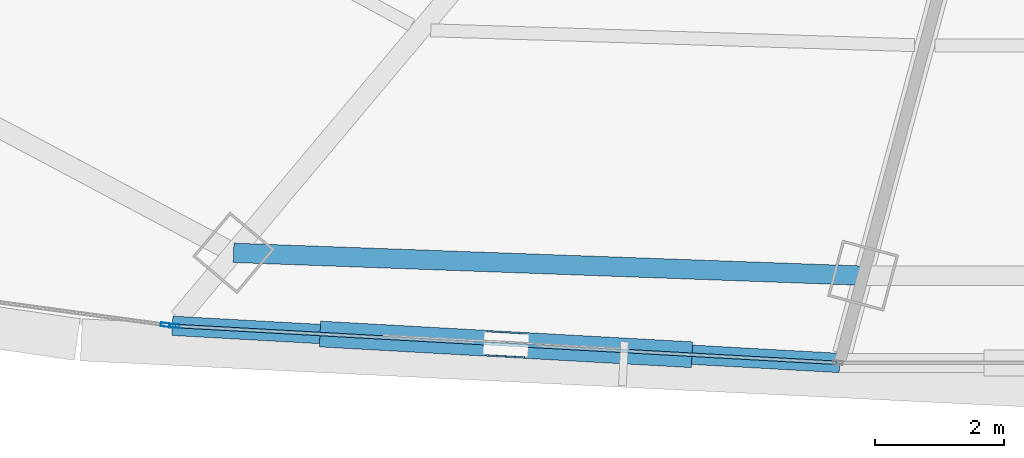
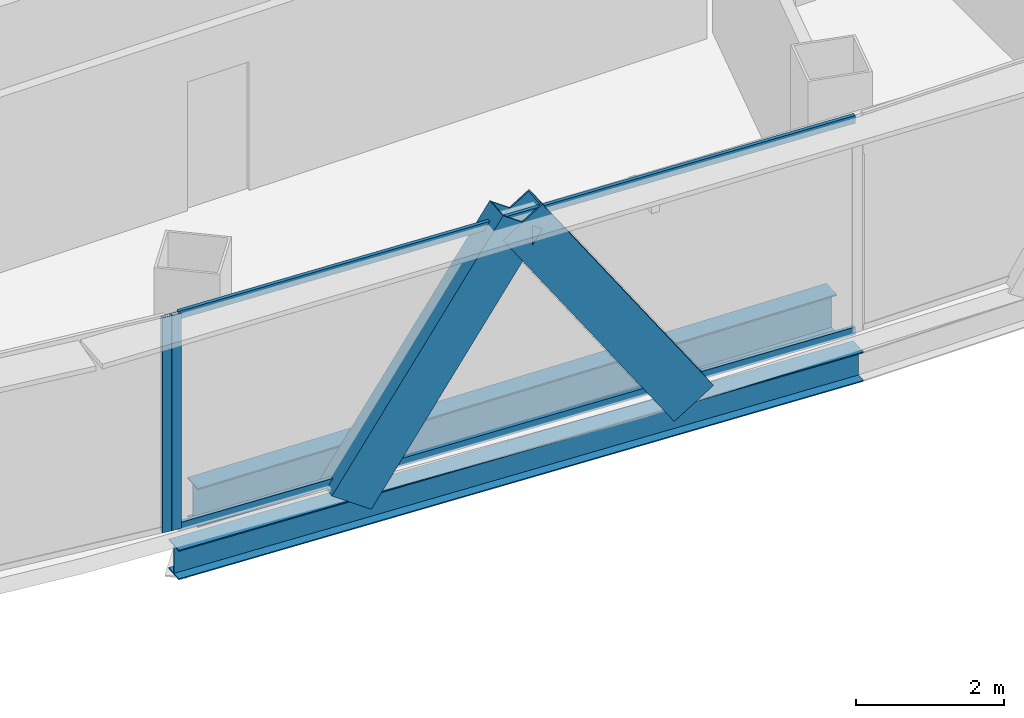
# One storey, part 6 of 36: 6 members, 2 beams, 2 elements without a shape of their own.
"""IFC4 building model written with IfcOpenShell, lengths in metres."""

from ifc_helpers import new_model, si_unit, direction, frame, origin, origin_2d, place, context, subcontext, project, spatial, hollow_rectangle, i_section, extrude, source, transform, mapped, material, layer, layer_set, material_profile, profile_set, type_object, element, aggregate, save


model = new_model("IFC4")

# Units and contexts
model_context = context("Model", 3, precision=1e-05, world=origin(), true_north=direction((0.0, 1.0)))
body_context = subcontext(model_context, "Body", "Model", "MODEL_VIEW")
ifc_project = project(units=[si_unit("LENGTHUNIT", "METRE"), si_unit("AREAUNIT", "SQUARE_METRE"), si_unit("VOLUMEUNIT", "CUBIC_METRE"), si_unit("PLANEANGLEUNIT", "RADIAN"), si_unit("MASSUNIT", "GRAM", prefix="KILO"), si_unit("THERMODYNAMICTEMPERATUREUNIT", "KELVIN"), si_unit("POWERUNIT", "WATT")], contexts=[model_context])

# Site, building, storey
site_placement = place(None, origin())
site = spatial("IfcSite", under=ifc_project, at=site_placement, CompositionType="ELEMENT")
building_placement = place(site_placement, origin())
building = spatial("IfcBuilding", under=site, at=building_placement, Name="Yunzhuo Pagoda Commons", CompositionType="ELEMENT")
storey_placement = place(building_placement, frame((0.0, 0.0, 211.360107421875)))
storey = spatial("IfcBuildingStorey", under=building, at=storey_placement, Name="L53", CompositionType="ELEMENT", Elevation=211.360107421875)

# Beams
ifc_material_1 = material(Name="Structural steel Q355B", Category="steel")
ifc_material_profile_1 = material_profile(ifc_material_1, i_section(OverallWidth=0.300048828125, OverallDepth=0.64990234375, WebThickness=0.012939453125, FlangeThickness=0.02197265625, at=origin_2d()), Name="Structural steel Q355B")
ifc_profile_set_1 = profile_set([ifc_material_profile_1], Name="Structural steel Q355B")
beam_type_1 = type_object("IfcBeamType", Name="B-RG2 Beam HN 650x300x13x22", PredefinedType="BEAM", material=ifc_profile_set_1)
shared_shape_1 = source(origin(), body_context, "Body", "SweptSolid", [
    extrude(i_section(OverallWidth=0.300048828125, OverallDepth=0.64990234375, WebThickness=0.012939453125, FlangeThickness=0.02197265625, at=origin_2d()), origin(), (0.0, 0.0, 1.0), 9.755126953125),
])
beam_1_placement = place(storey_placement, frame((33.538818359375, 16.4658203125, -0.585205078125), z_axis=(0.999343161351, -0.036238734258, 0.0), x_axis=(0.036238734258, 0.999343161351, 0.0)))
element("IfcBeam", 1, at=beam_1_placement, inside=storey, type_object=beam_type_1, Name="L53 column-ring beam 1", PredefinedType="BEAM", context=body_context, shape_type="MappedRepresentation", body=[
    mapped(shared_shape_1, transform((0.0, 0.0, 0.0), scale=1.0)),
])
ifc_material_profile_2 = material_profile(ifc_material_1, i_section(OverallWidth=0.300048828125, OverallDepth=0.488037109375, WebThickness=0.010986328125, FlangeThickness=0.01806640625, at=origin_2d()), Name="Structural steel Q355B")
ifc_profile_set_2 = profile_set([ifc_material_profile_2], Name="Structural steel Q355B")
beam_type_2 = type_object("IfcBeamType", Name="B-SP1 Beam HM 488x300x11x18", PredefinedType="BEAM", material=ifc_profile_set_2)
shared_shape_2 = source(origin(), body_context, "Body", "SweptSolid", [
    extrude(i_section(OverallWidth=0.300048828125, OverallDepth=0.488037109375, WebThickness=0.010986328125, FlangeThickness=0.01806640625, at=origin_2d()), origin(), (0.0, 0.0, 1.0), 10.349853515625),
])
beam_2_placement = place(storey_placement, frame((32.59130859375, 15.336181640625, -0.504150390625), z_axis=(0.998451849463, -0.05562287573, 0.0), x_axis=(0.05562287573, 0.998451849463, 0.0)))
element("IfcBeam", 2, at=beam_2_placement, inside=storey, type_object=beam_type_2, Name="L53 facade edge spandrel beam F1.1", PredefinedType="BEAM", context=body_context, shape_type="MappedRepresentation", body=[
    mapped(shared_shape_2, transform((0.0, 0.0, 0.0), scale=1.0)),
])

# Members
ifc_material_profile_3 = material_profile(ifc_material_1, hollow_rectangle(XDim=0.39990234375, YDim=0.719970703125, WallThickness=0.02392578125, at=origin_2d()), Name="Structural steel Q355B")
ifc_profile_set_3 = profile_set([ifc_material_profile_3], Name="Structural steel Q355B")
member_type_1 = type_object("IfcMemberType", Name="M-DL2 Brace BOX 720x400x24", PredefinedType="BRACE", material=ifc_profile_set_3)
shared_shape_3 = source(origin(), body_context, "Body", "SweptSolid", [
    extrude(hollow_rectangle(XDim=0.39990234375, YDim=0.719970703125, WallThickness=0.02392578125, at=origin_2d()), origin(), (0.0, 0.0, 1.0), 4.596923828125),
])
member_1_placement = place(storey_placement, frame((35.1748046875, 15.1923828125, -0.260009765625), z_axis=(0.561942388585, -0.031334090281, 0.826582679892), x_axis=(0.055673841344, 0.998449008908, 0.0)))
element("IfcMember", 3, at=member_1_placement, inside=storey, type_object=member_type_1, Name="L53 facade diamond brace F1.1L", PredefinedType="BRACE", context=body_context, shape_type="MappedRepresentation", body=[
    mapped(shared_shape_3, transform((0.0, 0.0, 0.0), scale=1.0)),
])
shared_shape_4 = source(origin(), body_context, "Body", "SweptSolid", [
    extrude(hollow_rectangle(XDim=0.39990234375, YDim=0.719970703125, WallThickness=0.02392578125, at=origin_2d()), origin(), (0.0, 0.0, 1.0), 4.59716796875),
])
member_2_placement = place(storey_placement, frame((40.341552734375, 14.904296875, -0.260009765625), z_axis=(-0.561978724983, 0.031333155145, 0.826558011306), x_axis=(-0.055668596465, -0.998449301351, 0.0)))
element("IfcMember", 4, at=member_2_placement, inside=storey, type_object=member_type_1, Name="L53 facade diamond brace F1.1R", PredefinedType="BRACE", context=body_context, shape_type="MappedRepresentation", body=[
    mapped(shared_shape_4, transform((0.0, 0.0, 0.0), scale=1.0)),
])

# Curtain wall, member
ifc_material_2 = material(Name="Anodized aluminium 6063-T6", Category="aluminium")
ifc_layer = layer(ifc_material_2, 0.14990234375)
ifc_layer_set = layer_set([ifc_layer], Name="Anodized aluminium 6063-T6")
curtain_wall_type = type_object("IfcCurtainWallType", Name="CW-MID Mid-Zone Ribbon Curtain Wall", PredefinedType="NOTDEFINED", material=ifc_layer_set)
curtain_wall_1_placement = place(storey_placement, origin())
curtain_wall_1 = element("IfcCurtainWall", 5, at=curtain_wall_1_placement, inside=storey, type_object=curtain_wall_type, Name="L53 curtain wall CW-L53-F1B2", PredefinedType="NOTDEFINED")
ifc_material_profile_4 = material_profile(ifc_material_2, hollow_rectangle(XDim=0.06005859375, YDim=0.14990234375, WallThickness=0.00390625, at=origin_2d()), Name="Anodized aluminium 6063-T6")
ifc_profile_set_4 = profile_set([ifc_material_profile_4], Name="Anodized aluminium 6063-T6")
member_type_2 = type_object("IfcMemberType", Name="CW-MID-M Mullion RHS 150x60x4", PredefinedType="MULLION", material=ifc_profile_set_4)
shared_shape_5 = source(origin(), body_context, "Body", "SweptSolid", [
    extrude(hollow_rectangle(XDim=0.06005859375, YDim=0.14990234375, WallThickness=0.00390625, at=origin_2d()), origin(), (0.0, 0.0, 1.0), 3.539794921875),
])
member_3_placement = place(storey_placement, frame((32.620849609375, 15.334716796875, 0.0), z_axis=(0.0, 0.0, 1.0), x_axis=(0.055641789149, 0.998450795633, 0.0)))
member_3 = element("IfcMember", 6, at=member_3_placement, type_object=member_type_2, Name="CW mullion 1", PredefinedType="MULLION", context=body_context, shape_type="MappedRepresentation", body=[
    mapped(shared_shape_5, transform((0.0, 0.0, 0.0), scale=1.0)),
])

curtain_wall_2_placement = place(storey_placement, origin())
curtain_wall_2 = element("IfcCurtainWall", 7, at=curtain_wall_2_placement, inside=storey, type_object=curtain_wall_type, Name="L53 curtain wall CW-L53-F1B1", PredefinedType="NOTDEFINED")
member_4_placement = place(storey_placement, frame((32.4873046875, 15.350341796875, 0.0), z_axis=(0.0, 0.0, 1.0), x_axis=(0.134839446061, 0.990867460252, 0.0)))
member_4 = element("IfcMember", 8, at=member_4_placement, type_object=member_type_2, Name="CW mullion 2", PredefinedType="MULLION", context=body_context, shape_type="MappedRepresentation", body=[
    mapped(shared_shape_5, transform((0.0, 0.0, 0.0), scale=1.0)),
])
aggregate(curtain_wall_2, [member_4])

# Member
ifc_material_profile_5 = material_profile(ifc_material_2, hollow_rectangle(XDim=0.054931640625, YDim=0.1298828125, WallThickness=0.00341796875, at=origin_2d()), Name="Anodized aluminium 6063-T6")
ifc_profile_set_5 = profile_set([ifc_material_profile_5], Name="Anodized aluminium 6063-T6")
member_type_3 = type_object("IfcMemberType", Name="CW-MID-T Transom RHS 130x55x3.5", PredefinedType="USERDEFINED", material=ifc_profile_set_5)
shared_shape_6 = source(origin(), body_context, "Body", "SweptSolid", [
    extrude(hollow_rectangle(XDim=0.054931640625, YDim=0.1298828125, WallThickness=0.00341796875, at=origin_2d()), origin(), (0.0, 0.0, 1.0), 10.230224609375),
])
member_5_placement = place(storey_placement, frame((32.65087890625, 15.3330078125, 0.02734375), z_axis=(0.998450203238, -0.055652418231, 0.0), x_axis=(0.055652418231, 0.998450203238, 0.0)))
member_5 = element("IfcMember", 9, at=member_5_placement, type_object=member_type_3, Name="CW transom 1.1", ObjectType="TRANSOM", PredefinedType="USERDEFINED", context=body_context, shape_type="MappedRepresentation", body=[
    mapped(shared_shape_6, transform((0.0, 0.0, 0.0), scale=1.0)),
])

member_6_placement = place(storey_placement, frame((32.65087890625, 15.3330078125, 3.512451171875), z_axis=(0.998450203238, -0.055652418231, 0.0), x_axis=(0.055652418231, 0.998450203238, 0.0)))
member_6 = element("IfcMember", 10, at=member_6_placement, type_object=member_type_3, Name="CW transom 1.2", ObjectType="TRANSOM", PredefinedType="USERDEFINED", context=body_context, shape_type="MappedRepresentation", body=[
    mapped(shared_shape_6, transform((0.0, 0.0, 0.0), scale=1.0)),
])

aggregate(curtain_wall_1, [member_3, member_5, member_6])

save(model, "model.ifc")
